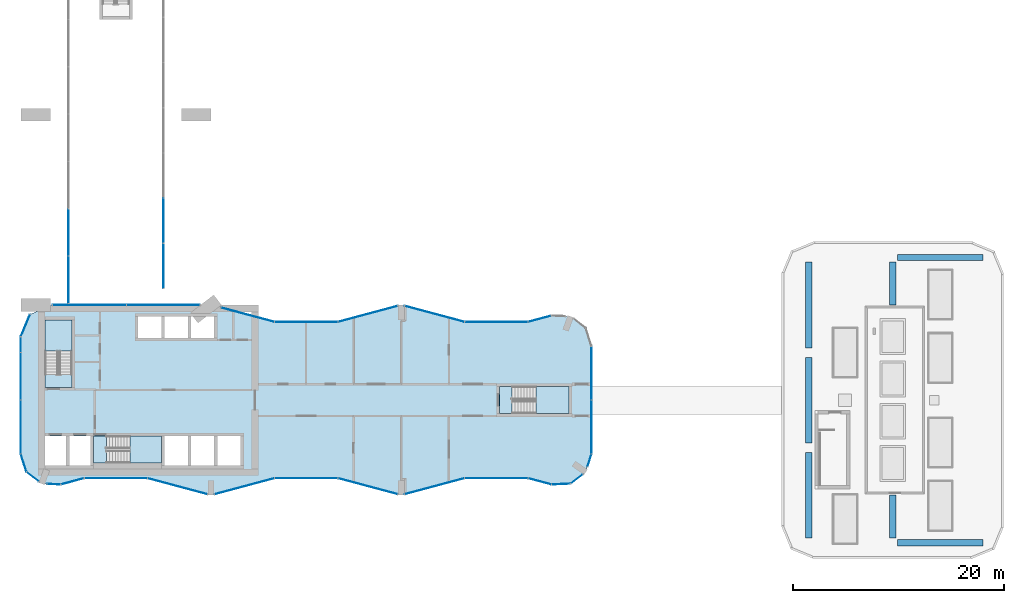
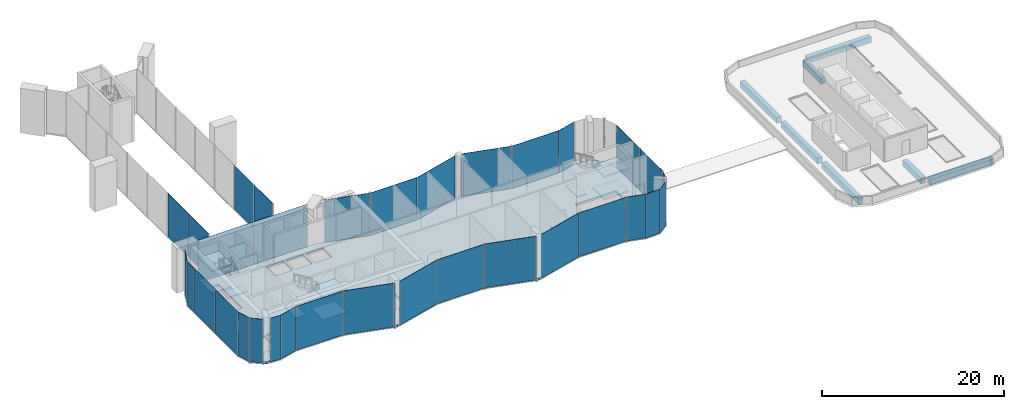
# One storey, part 8 of 19: 33 plates, 10 slabs, 7 beams, 30 elements without a shape of their own.
"""IFC4 building model written with IfcOpenShell, lengths in metres."""

from ifc_helpers import new_model, si_unit, direction, frame, origin, origin_2d, place, context, subcontext, project, spatial, polyline, rectangle, outline, extrude, material, layer, layer_set, material_profile, profile_set, type_object, element, aggregate, save


model = new_model("IFC4")

# Units and contexts
model_context = context("Model", 3, precision=1e-05, world=origin(), true_north=direction((0.0, 1.0)))
body_context = subcontext(model_context, "Body", "Model", "MODEL_VIEW")
ifc_project = project(units=[si_unit("LENGTHUNIT", "METRE"), si_unit("AREAUNIT", "SQUARE_METRE"), si_unit("VOLUMEUNIT", "CUBIC_METRE"), si_unit("PLANEANGLEUNIT", "RADIAN"), si_unit("MASSUNIT", "GRAM", prefix="KILO")], contexts=[model_context])

# Site, building, storey
site_placement = place(None, origin())
site = spatial("IfcSite", under=ifc_project, at=site_placement, CompositionType="ELEMENT")
building_placement = place(site_placement, origin())
building = spatial("IfcBuilding", under=site, at=building_placement, Name="Plateau Cross Towers", CompositionType="ELEMENT")
storey_placement = place(building_placement, frame((0.0, 0.0, 128.60009765625)))
storey = spatial("IfcBuildingStorey", under=building, at=storey_placement, Name="L33", CompositionType="ELEMENT", Elevation=128.60009765625)

# Beams
ifc_material_1 = material(Name="Concrete C60/75", Category="concrete")
ifc_material_profile_1 = material_profile(ifc_material_1, rectangle(XDim=0.60009765625, YDim=0.800048828125, at=origin_2d()), Name="RC 600x800")
ifc_profile_set_1 = profile_set([ifc_material_profile_1], Name="Concrete C60/75")
beam_type_1 = type_object("IfcBeamType", Name="Core beam RC 600x800", PredefinedType="BEAM", material=ifc_profile_set_1)
for number, where, z_axis, x_axis, name in (
    (1, (82.5, 0.0, -0.7001953125), (0.0, -1.0, 0.0), (1.0, 0.0, 0.0), "B-CB01@L33"),
    (2, (82.5, 18.0, -0.7001953125), (0.0, 1.0, 0.0), (-1.0, 0.0, 0.0), "B-CB02@L33"),
):
    element("IfcBeam", number, at=place(storey_placement, frame(where, z_axis=z_axis, x_axis=x_axis)), inside=storey, type_object=beam_type_1, Name=name, PredefinedType="BEAM", context=body_context, shape_type="SweptSolid", body=[
        extrude(rectangle(XDim=0.60009765625, YDim=0.800048828125, at=origin_2d()), origin(), (0.0, 0.0, 1.0), 4.050048828125),
    ])
ifc_material_profile_2 = material_profile(ifc_material_1, rectangle(XDim=0.60009765625, YDim=0.800048828125, at=origin_2d()), Name="RC 600x800")
ifc_profile_set_2 = profile_set([ifc_material_profile_2], Name="Concrete C60/75")
beam_type_2 = type_object("IfcBeamType", Name="Ring beam RC 600x800", PredefinedType="BEAM", material=ifc_profile_set_2)
for number, where, z_axis, x_axis, name in (
    (3, (82.949951171875, -4.5, -0.7001953125), (1.0, 0.0, 0.0), (0.0, 1.0, 0.0), "B-RB01@L33"),
    (4, (91.050048828125, 22.5, -0.7001953125), (-1.0, 0.0, 0.0), (0.0, -1.0, 0.0), "B-RB02@L33"),
    (5, (74.550048828125, 22.050048828125, -0.7001953125), (0.0, -1.0, 0.0), (1.0, 0.0, 0.0), "B-RB03@L33"),
    (6, (74.550048828125, 13.050048828125, -0.7001953125), (0.0, -1.0, 0.0), (1.0, 0.0, 0.0), "B-RB04@L33"),
    (7, (74.550048828125, 4.050048828125, -0.7001953125), (0.0, -1.0, 0.0), (1.0, 0.0, 0.0), "B-RB05@L33"),
):
    element("IfcBeam", number, at=place(storey_placement, frame(where, z_axis=z_axis, x_axis=x_axis)), inside=storey, type_object=beam_type_2, Name=name, PredefinedType="BEAM", context=body_context, shape_type="SweptSolid", body=[
        extrude(rectangle(XDim=0.60009765625, YDim=0.800048828125, at=origin_2d()), origin(), (0.0, 0.0, 1.0), 8.10009765625),
    ])

# Curtain wall, plate
ifc_material_2 = material(Name="Dark low-iron glass", Category="glass")
ifc_layer_1 = layer(ifc_material_2, 0.239990234375)
ifc_layer_set_1 = layer_set([ifc_layer_1], Name="Dark low-iron glass")
curtain_wall_type_1 = type_object("IfcCurtainWallType", Name="Curtain wall flush unitised CW-B", PredefinedType="NOTDEFINED", material=ifc_layer_set_1)
curtain_wall_1_placement = place(storey_placement, origin())
curtain_wall_1 = element("IfcCurtainWall", 8, at=curtain_wall_1_placement, inside=storey, type_object=curtain_wall_type_1, Name="ENV/A/L33/A502_10", PredefinedType="NOTDEFINED")
ifc_layer_2 = layer(ifc_material_2, 0.031982421875)
ifc_layer_set_2 = layer_set([ifc_layer_2], Name="Dark low-iron glass")
plate_type_1 = type_object("IfcPlateType", Name="Glass panel 32 flush unitised", PredefinedType="CURTAIN_PANEL", material=ifc_layer_set_2)
plate_1_placement = place(storey_placement, frame((51.125, 1.05078125, -0.179931640625), z_axis=(0.0, 0.0, 1.0), x_axis=(0.999043701491, 0.043722791671, 0.0)))
plate_1 = element("IfcPlate", 9, at=plate_1_placement, type_object=plate_type_1, Name="CW-B panel 1", PredefinedType="CURTAIN_PANEL", context=body_context, shape_type="SweptSolid", body=[
    extrude(rectangle(XDim=1.744140625, YDim=0.031982421875, at=origin_2d()), origin(), (0.0, 0.0, 1.0), 5.8798828125),
])
aggregate(curtain_wall_1, [plate_1])

curtain_wall_2_placement = place(storey_placement, origin())
curtain_wall_2 = element("IfcCurtainWall", 10, at=curtain_wall_2_placement, inside=storey, type_object=curtain_wall_type_1, Name="ENV/A/L33/A520_11", PredefinedType="NOTDEFINED")
plate_2_placement = place(storey_placement, frame((52.60986328125, 1.5380859375, -0.179931640625), z_axis=(0.0, 0.0, 1.0), x_axis=(0.793315514529, 0.608810721331, 0.0)))
plate_2 = element("IfcPlate", 11, at=plate_2_placement, type_object=plate_type_1, Name="CW-B panel 1", PredefinedType="CURTAIN_PANEL", context=body_context, shape_type="SweptSolid", body=[
    extrude(rectangle(XDim=1.41162109375, YDim=0.031982421875, at=origin_2d()), origin(), (0.0, 0.0, 1.0), 5.8798828125),
])
aggregate(curtain_wall_2, [plate_2])

curtain_wall_3_placement = place(storey_placement, origin())
curtain_wall_3 = element("IfcCurtainWall", 12, at=curtain_wall_3_placement, inside=storey, type_object=curtain_wall_type_1, Name="ENV/A/L33/A536_27", PredefinedType="NOTDEFINED")
plate_3_placement = place(storey_placement, frame((53.805419921875, 3.292236328125, -0.179931640625), z_axis=(0.0, 0.0, 1.0), x_axis=(0.300686174994, 0.95372313811, 0.0)))
plate_3 = element("IfcPlate", 13, at=plate_3_placement, type_object=plate_type_1, Name="CW-B panel 1", PredefinedType="CURTAIN_PANEL", context=body_context, shape_type="SweptSolid", body=[
    extrude(rectangle(XDim=1.233642578125, YDim=0.031982421875, at=origin_2d()), origin(), (0.0, 0.0, 1.0), 5.8798828125),
])
aggregate(curtain_wall_3, [plate_3])

# Curtain wall, plates
curtain_wall_4_placement = place(storey_placement, origin())
curtain_wall_4 = element("IfcCurtainWall", 14, at=curtain_wall_4_placement, inside=storey, type_object=curtain_wall_type_1, Name="ENV/A/L33/A540_39", PredefinedType="NOTDEFINED")
plate_4_placement = place(storey_placement, frame((54.0, 6.45458984375, -0.179931640625), z_axis=(0.0, 0.0, 1.0), x_axis=(0.0, 1.0, 0.0)))
plate_4 = element("IfcPlate", 15, at=plate_4_placement, type_object=plate_type_1, Name="CW-B panel 1", PredefinedType="CURTAIN_PANEL", context=body_context, shape_type="SweptSolid", body=[
    extrude(rectangle(XDim=5.03076171875, YDim=0.031982421875, at=origin_2d()), origin(), (0.0, 0.0, 1.0), 5.8798828125),
])
plate_5_placement = place(storey_placement, frame((54.0, 11.54541015625, -0.179931640625), z_axis=(0.0, 0.0, 1.0), x_axis=(0.0, 1.0, 0.0)))
plate_5 = element("IfcPlate", 16, at=plate_5_placement, type_object=plate_type_1, Name="CW-B panel 2", PredefinedType="CURTAIN_PANEL", context=body_context, shape_type="SweptSolid", body=[
    extrude(rectangle(XDim=5.03076171875, YDim=0.031982421875, at=origin_2d()), origin(), (0.0, 0.0, 1.0), 5.8798828125),
])
aggregate(curtain_wall_4, [plate_4, plate_5])

curtain_wall_5_placement = place(storey_placement, origin())
curtain_wall_5 = element("IfcCurtainWall", 17, at=curtain_wall_5_placement, inside=storey, type_object=curtain_wall_type_1, Name="ENV/A/L33/A170_180", PredefinedType="NOTDEFINED")
plate_6_placement = place(storey_placement, frame((13.486328125, 18.0, -0.179931640625), z_axis=(0.0, 0.0, 1.0), x_axis=(-1.0, 0.0, 0.0)))
plate_6 = element("IfcPlate", 18, at=plate_6_placement, type_object=plate_type_1, Name="CW-B panel 1", PredefinedType="CURTAIN_PANEL", context=body_context, shape_type="SweptSolid", body=[
    extrude(rectangle(XDim=6.930908203125, YDim=0.031982421875, at=origin_2d()), origin(), (0.0, 0.0, 1.0), 5.8798828125),
])
plate_7_placement = place(storey_placement, frame((6.495361328125, 18.0, -0.179931640625), z_axis=(0.0, 0.0, 1.0), x_axis=(-1.0, 0.0, 0.0)))
plate_7 = element("IfcPlate", 19, at=plate_7_placement, type_object=plate_type_1, Name="CW-B panel 2", PredefinedType="CURTAIN_PANEL", context=body_context, shape_type="SweptSolid", body=[
    extrude(rectangle(XDim=6.930908203125, YDim=0.031982421875, at=origin_2d()), origin(), (0.0, 0.0, 1.0), 5.8798828125),
])
aggregate(curtain_wall_5, [plate_6, plate_7])

# Curtain wall, plate
curtain_wall_6_placement = place(storey_placement, origin())
curtain_wall_6 = element("IfcCurtainWall", 20, at=curtain_wall_6_placement, inside=storey, type_object=curtain_wall_type_1, Name="ENV/A/L33/A9_171", PredefinedType="NOTDEFINED")
plate_8_placement = place(storey_placement, frame((0.439453125, 16.060546875, -0.179931640625), z_axis=(0.0, 0.0, 1.0), x_axis=(-0.382683612978, -0.923879457699, 0.0)))
plate_8 = element("IfcPlate", 21, at=plate_8_placement, type_object=plate_type_1, Name="CW-B panel 1", PredefinedType="CURTAIN_PANEL", context=body_context, shape_type="SweptSolid", body=[
    extrude(rectangle(XDim=2.236083984375, YDim=0.031982421875, at=origin_2d()), origin(), (0.0, 0.0, 1.0), 5.8798828125),
])
aggregate(curtain_wall_6, [plate_8])

# Curtain wall, plates
curtain_wall_7_placement = place(storey_placement, origin())
curtain_wall_7 = element("IfcCurtainWall", 22, at=curtain_wall_7_placement, inside=storey, type_object=curtain_wall_type_1, Name="ENV/A/L33/A0_150", PredefinedType="NOTDEFINED")
plate_9_placement = place(storey_placement, frame((0.0, 14.25, -0.179931640625), z_axis=(0.0, 0.0, 1.0), x_axis=(0.0, -1.0, 0.0)))
plate_9 = element("IfcPlate", 23, at=plate_9_placement, type_object=plate_type_1, Name="CW-B panel 1", PredefinedType="CURTAIN_PANEL", context=body_context, shape_type="SweptSolid", body=[
    extrude(rectangle(XDim=1.43994140625, YDim=0.031982421875, at=origin_2d()), origin(), (0.0, 0.0, 1.0), 5.8798828125),
])
plate_10_placement = place(storey_placement, frame((0.0, 11.25, -0.179931640625), z_axis=(0.0, 0.0, 1.0), x_axis=(0.0, -1.0, 0.0)))
plate_10 = element("IfcPlate", 24, at=plate_10_placement, type_object=plate_type_1, Name="CW-B panel 2", PredefinedType="CURTAIN_PANEL", context=body_context, shape_type="SweptSolid", body=[
    extrude(rectangle(XDim=4.43994140625, YDim=0.031982421875, at=origin_2d()), origin(), (0.0, 0.0, 1.0), 5.8798828125),
])
plate_11_placement = place(storey_placement, frame((0.0, 6.45458984375, -0.179931640625), z_axis=(0.0, 0.0, 1.0), x_axis=(0.0, -1.0, 0.0)))
plate_11 = element("IfcPlate", 25, at=plate_11_placement, type_object=plate_type_1, Name="CW-B panel 3", PredefinedType="CURTAIN_PANEL", context=body_context, shape_type="SweptSolid", body=[
    extrude(rectangle(XDim=5.03076171875, YDim=0.031982421875, at=origin_2d()), origin(), (0.0, 0.0, 1.0), 5.8798828125),
])
aggregate(curtain_wall_7, [plate_9, plate_10, plate_11])

# Curtain wall, plate
curtain_wall_8_placement = place(storey_placement, origin())
curtain_wall_8 = element("IfcCurtainWall", 26, at=curtain_wall_8_placement, inside=storey, type_object=curtain_wall_type_1, Name="ENV/A/L33/A0_39", PredefinedType="NOTDEFINED")
plate_12_placement = place(storey_placement, frame((0.271240234375, 3.048828125, -0.179931640625), z_axis=(0.0, 0.0, 1.0), x_axis=(0.300686174994, -0.95372313811, 0.0)))
plate_12 = element("IfcPlate", 27, at=plate_12_placement, type_object=plate_type_1, Name="CW-B panel 1", PredefinedType="CURTAIN_PANEL", context=body_context, shape_type="SweptSolid", body=[
    extrude(rectangle(XDim=1.744140625, YDim=0.031982421875, at=origin_2d()), origin(), (0.0, 0.0, 1.0), 5.8798828125),
])
aggregate(curtain_wall_8, [plate_12])

curtain_wall_9_placement = place(storey_placement, origin())
curtain_wall_9 = element("IfcCurtainWall", 28, at=curtain_wall_9_placement, inside=storey, type_object=curtain_wall_type_1, Name="ENV/A/L33/A5_22", PredefinedType="NOTDEFINED")
plate_13_placement = place(storey_placement, frame((1.126220703125, 1.74072265625, -0.179931640625), z_axis=(0.0, 0.0, 1.0), x_axis=(0.793315514529, -0.608810721331, 0.0)))
plate_13 = element("IfcPlate", 29, at=plate_13_placement, type_object=plate_type_1, Name="CW-B panel 1", PredefinedType="CURTAIN_PANEL", context=body_context, shape_type="SweptSolid", body=[
    extrude(rectangle(XDim=1.41162109375, YDim=0.031982421875, at=origin_2d()), origin(), (0.0, 0.0, 1.0), 5.8798828125),
])
aggregate(curtain_wall_9, [plate_13])

curtain_wall_10_placement = place(storey_placement, origin())
curtain_wall_10 = element("IfcCurtainWall", 30, at=curtain_wall_10_placement, inside=storey, type_object=curtain_wall_type_1, Name="ENV/A/L33/A25_11", PredefinedType="NOTDEFINED")
plate_14_placement = place(storey_placement, frame((3.1298828125, 1.03955078125, -0.179931640625), z_axis=(0.0, 0.0, 1.0), x_axis=(0.999043701491, -0.043722791671, 0.0)))
plate_14 = element("IfcPlate", 31, at=plate_14_placement, type_object=plate_type_1, Name="CW-B panel 1", PredefinedType="CURTAIN_PANEL", context=body_context, shape_type="SweptSolid", body=[
    extrude(rectangle(XDim=1.233642578125, YDim=0.031982421875, at=origin_2d()), origin(), (0.0, 0.0, 1.0), 5.8798828125),
])
aggregate(curtain_wall_10, [plate_14])

# Curtain wall, plates
curtain_wall_11_placement = place(storey_placement, origin())
curtain_wall_11 = element("IfcCurtainWall", 32, at=curtain_wall_11_placement, inside=storey, type_object=curtain_wall_type_1, Name="ENV/A/L33/sky135_495_135_196", PredefinedType="NOTDEFINED")
plate_15_placement = place(storey_placement, frame((13.5, 25.97509765625, 0.119873046875), z_axis=(0.0, 0.0, 1.0), x_axis=(0.0, -1.0, 0.0)))
plate_15 = element("IfcPlate", 33, at=plate_15_placement, type_object=plate_type_1, Name="CW-B panel 6", PredefinedType="CURTAIN_PANEL", context=body_context, shape_type="SweptSolid", body=[
    extrude(rectangle(XDim=4.21728515625, YDim=0.031982421875, at=origin_2d()), origin(), (0.0, 0.0, 1.0), 5.8798828125),
])
plate_16_placement = place(storey_placement, frame((13.5, 21.697998046875, 0.119873046875), z_axis=(0.0, 0.0, 1.0), x_axis=(0.0, -1.0, 0.0)))
plate_16 = element("IfcPlate", 34, at=plate_16_placement, type_object=plate_type_1, Name="CW-B panel 7", PredefinedType="CURTAIN_PANEL", context=body_context, shape_type="SweptSolid", body=[
    extrude(rectangle(XDim=4.21728515625, YDim=0.031982421875, at=origin_2d()), origin(), (0.0, 0.0, 1.0), 5.8798828125),
])
aggregate(curtain_wall_11, [plate_15, plate_16])

curtain_wall_12_placement = place(storey_placement, origin())
curtain_wall_12 = element("IfcCurtainWall", 35, at=curtain_wall_12_placement, inside=storey, type_object=curtain_wall_type_1, Name="ENV/A/L33/sky45_182_45_495", PredefinedType="NOTDEFINED")
plate_17_placement = place(storey_placement, frame((4.5, 20.389404296875, 0.119873046875), z_axis=(0.0, 0.0, 1.0), x_axis=(0.0, 1.0, 0.0)))
plate_17 = element("IfcPlate", 36, at=plate_17_placement, type_object=plate_type_1, Name="CW-B panel 1", PredefinedType="CURTAIN_PANEL", context=body_context, shape_type="SweptSolid", body=[
    extrude(rectangle(XDim=4.41845703125, YDim=0.031982421875, at=origin_2d()), origin(), (0.0, 0.0, 1.0), 5.8798828125),
])
plate_18_placement = place(storey_placement, frame((4.5, 24.867919921875, 0.119873046875), z_axis=(0.0, 0.0, 1.0), x_axis=(0.0, 1.0, 0.0)))
plate_18 = element("IfcPlate", 37, at=plate_18_placement, type_object=plate_type_1, Name="CW-B panel 2", PredefinedType="CURTAIN_PANEL", context=body_context, shape_type="SweptSolid", body=[
    extrude(rectangle(XDim=4.41845703125, YDim=0.031982421875, at=origin_2d()), origin(), (0.0, 0.0, 1.0), 5.8798828125),
])
aggregate(curtain_wall_12, [plate_17, plate_18])

# Curtain wall, plate
ifc_layer_3 = layer(ifc_material_2, 0.260009765625)
ifc_layer_set_3 = layer_set([ifc_layer_3], Name="Dark low-iron glass")
curtain_wall_type_2 = type_object("IfcCurtainWallType", Name="Curtain wall fluted unitised CW-A", PredefinedType="NOTDEFINED", material=ifc_layer_set_3)
curtain_wall_13_placement = place(storey_placement, origin())
curtain_wall_13 = element("IfcCurtainWall", 38, at=curtain_wall_13_placement, inside=storey, type_object=curtain_wall_type_2, Name="ENV/A/L33/A38_10", PredefinedType="NOTDEFINED")
ifc_layer_4 = layer(ifc_material_2, 0.035888671875)
ifc_layer_set_4 = layer_set([ifc_layer_4], Name="Dark low-iron glass")
plate_type_2 = type_object("IfcPlateType", Name="Glass panel 36 fluted unitised", PredefinedType="CURTAIN_PANEL", material=ifc_layer_set_4)
plate_19_placement = place(storey_placement, frame((4.887939453125, 1.30908203125, -0.179931640625), z_axis=(0.0, 0.0, 1.0), x_axis=(0.965957962328, 0.258699081978, 0.0)))
plate_19 = element("IfcPlate", 39, at=plate_19_placement, type_object=plate_type_2, Name="CW-A panel 1", PredefinedType="CURTAIN_PANEL", context=body_context, shape_type="SweptSolid", body=[
    extrude(rectangle(XDim=2.2421875, YDim=0.035888671875, at=origin_2d()), origin(), (0.0, 0.0, 1.0), 5.8798828125),
])
aggregate(curtain_wall_13, [plate_19])

curtain_wall_14_placement = place(storey_placement, origin())
curtain_wall_14 = element("IfcCurtainWall", 40, at=curtain_wall_14_placement, inside=storey, type_object=curtain_wall_type_2, Name="ENV/A/L33/A60_16", PredefinedType="NOTDEFINED")
plate_20_placement = place(storey_placement, frame((9.0, 1.60693359375, -0.179931640625), z_axis=(0.0, 0.0, 1.0), x_axis=(1.0, 0.0, 0.0)))
plate_20 = element("IfcPlate", 41, at=plate_20_placement, type_object=plate_type_2, Name="CW-A panel 1", PredefinedType="CURTAIN_PANEL", context=body_context, shape_type="SweptSolid", body=[
    extrude(rectangle(XDim=5.93994140625, YDim=0.035888671875, at=origin_2d()), origin(), (0.0, 0.0, 1.0), 5.8798828125),
])
aggregate(curtain_wall_14, [plate_20])

curtain_wall_15_placement = place(storey_placement, origin())
curtain_wall_15 = element("IfcCurtainWall", 42, at=curtain_wall_15_placement, inside=storey, type_object=curtain_wall_type_2, Name="ENV/A/L33/A120_16", PredefinedType="NOTDEFINED")
plate_21_placement = place(storey_placement, frame((14.841064453125, 0.845947265625, -0.179931640625), z_axis=(0.0, 0.0, 1.0), x_axis=(0.965957983404, -0.258699003279, 0.0)))
plate_21 = element("IfcPlate", 43, at=plate_21_placement, type_object=plate_type_2, Name="CW-A panel 1", PredefinedType="CURTAIN_PANEL", context=body_context, shape_type="SweptSolid", body=[
    extrude(rectangle(XDim=5.822265625, YDim=0.035888671875, at=origin_2d()), origin(), (0.0, 0.0, 1.0), 5.8798828125),
])
aggregate(curtain_wall_15, [plate_21])

curtain_wall_16_placement = place(storey_placement, origin())
curtain_wall_16 = element("IfcCurtainWall", 44, at=curtain_wall_16_placement, inside=storey, type_object=curtain_wall_type_2, Name="ENV/A/L33/A183_1", PredefinedType="NOTDEFINED")
plate_22_placement = place(storey_placement, frame((21.158935546875, 0.845947265625, -0.179931640625), z_axis=(0.0, 0.0, 1.0), x_axis=(0.965957983404, 0.258699003279, 0.0)))
plate_22 = element("IfcPlate", 45, at=plate_22_placement, type_object=plate_type_2, Name="CW-A panel 1", PredefinedType="CURTAIN_PANEL", context=body_context, shape_type="SweptSolid", body=[
    extrude(rectangle(XDim=5.822265625, YDim=0.035888671875, at=origin_2d()), origin(), (0.0, 0.0, 1.0), 5.8798828125),
])
aggregate(curtain_wall_16, [plate_22])

curtain_wall_17_placement = place(storey_placement, origin())
curtain_wall_17 = element("IfcCurtainWall", 46, at=curtain_wall_17_placement, inside=storey, type_object=curtain_wall_type_2, Name="ENV/A/L33/A240_16", PredefinedType="NOTDEFINED")
plate_23_placement = place(storey_placement, frame((27.0, 1.60693359375, -0.179931640625), z_axis=(0.0, 0.0, 1.0), x_axis=(1.0, 0.0, 0.0)))
plate_23 = element("IfcPlate", 47, at=plate_23_placement, type_object=plate_type_2, Name="CW-A panel 1", PredefinedType="CURTAIN_PANEL", context=body_context, shape_type="SweptSolid", body=[
    extrude(rectangle(XDim=5.93994140625, YDim=0.035888671875, at=origin_2d()), origin(), (0.0, 0.0, 1.0), 5.8798828125),
])
aggregate(curtain_wall_17, [plate_23])

curtain_wall_18_placement = place(storey_placement, origin())
curtain_wall_18 = element("IfcCurtainWall", 48, at=curtain_wall_18_placement, inside=storey, type_object=curtain_wall_type_2, Name="ENV/A/L33/A300_16", PredefinedType="NOTDEFINED")
plate_24_placement = place(storey_placement, frame((32.841064453125, 0.845947265625, -0.179931640625), z_axis=(0.0, 0.0, 1.0), x_axis=(0.965957983404, -0.258699003279, 0.0)))
plate_24 = element("IfcPlate", 49, at=plate_24_placement, type_object=plate_type_2, Name="CW-A panel 1", PredefinedType="CURTAIN_PANEL", context=body_context, shape_type="SweptSolid", body=[
    extrude(rectangle(XDim=5.822265625, YDim=0.035888671875, at=origin_2d()), origin(), (0.0, 0.0, 1.0), 5.8798828125),
])
aggregate(curtain_wall_18, [plate_24])

curtain_wall_19_placement = place(storey_placement, origin())
curtain_wall_19 = element("IfcCurtainWall", 50, at=curtain_wall_19_placement, inside=storey, type_object=curtain_wall_type_2, Name="ENV/A/L33/A363_1", PredefinedType="NOTDEFINED")
plate_25_placement = place(storey_placement, frame((39.158935546875, 0.845947265625, -0.179931640625), z_axis=(0.0, 0.0, 1.0), x_axis=(0.965957983404, 0.258699003279, 0.0)))
plate_25 = element("IfcPlate", 51, at=plate_25_placement, type_object=plate_type_2, Name="CW-A panel 1", PredefinedType="CURTAIN_PANEL", context=body_context, shape_type="SweptSolid", body=[
    extrude(rectangle(XDim=5.822265625, YDim=0.035888671875, at=origin_2d()), origin(), (0.0, 0.0, 1.0), 5.8798828125),
])
aggregate(curtain_wall_19, [plate_25])

curtain_wall_20_placement = place(storey_placement, origin())
curtain_wall_20 = element("IfcCurtainWall", 52, at=curtain_wall_20_placement, inside=storey, type_object=curtain_wall_type_2, Name="ENV/A/L33/A420_16", PredefinedType="NOTDEFINED")
plate_26_placement = place(storey_placement, frame((45.0, 1.60693359375, -0.179931640625), z_axis=(0.0, 0.0, 1.0), x_axis=(1.0, 0.0, 0.0)))
plate_26 = element("IfcPlate", 53, at=plate_26_placement, type_object=plate_type_2, Name="CW-A panel 1", PredefinedType="CURTAIN_PANEL", context=body_context, shape_type="SweptSolid", body=[
    extrude(rectangle(XDim=5.93994140625, YDim=0.035888671875, at=origin_2d()), origin(), (0.0, 0.0, 1.0), 5.8798828125),
])
aggregate(curtain_wall_20, [plate_26])

curtain_wall_21_placement = place(storey_placement, origin())
curtain_wall_21 = element("IfcCurtainWall", 54, at=curtain_wall_21_placement, inside=storey, type_object=curtain_wall_type_2, Name="ENV/A/L33/A480_16", PredefinedType="NOTDEFINED")
plate_27_placement = place(storey_placement, frame((49.112060546875, 1.30908203125, -0.179931640625), z_axis=(0.0, 0.0, 1.0), x_axis=(0.965957962328, -0.258699081978, 0.0)))
plate_27 = element("IfcPlate", 55, at=plate_27_placement, type_object=plate_type_2, Name="CW-A panel 1", PredefinedType="CURTAIN_PANEL", context=body_context, shape_type="SweptSolid", body=[
    extrude(rectangle(XDim=2.2421875, YDim=0.035888671875, at=origin_2d()), origin(), (0.0, 0.0, 1.0), 5.8798828125),
])
aggregate(curtain_wall_21, [plate_27])

curtain_wall_22_placement = place(storey_placement, origin())
curtain_wall_22 = element("IfcCurtainWall", 56, at=curtain_wall_22_placement, inside=storey, type_object=curtain_wall_type_2, Name="ENV/A/L33/A502_170", PredefinedType="NOTDEFINED")
plate_28_placement = place(storey_placement, frame((49.112060546875, 16.69091796875, -0.179931640625), z_axis=(0.0, 0.0, 1.0), x_axis=(-0.965957962328, -0.258699081978, 0.0)))
plate_28 = element("IfcPlate", 57, at=plate_28_placement, type_object=plate_type_2, Name="CW-A panel 1", PredefinedType="CURTAIN_PANEL", context=body_context, shape_type="SweptSolid", body=[
    extrude(rectangle(XDim=2.2421875, YDim=0.035888671875, at=origin_2d()), origin(), (0.0, 0.0, 1.0), 5.8798828125),
])
aggregate(curtain_wall_22, [plate_28])

curtain_wall_23_placement = place(storey_placement, origin())
curtain_wall_23 = element("IfcCurtainWall", 58, at=curtain_wall_23_placement, inside=storey, type_object=curtain_wall_type_2, Name="ENV/A/L33/A480_164", PredefinedType="NOTDEFINED")
plate_29_placement = place(storey_placement, frame((45.0, 16.39306640625, -0.179931640625), z_axis=(0.0, 0.0, 1.0), x_axis=(-1.0, 0.0, 0.0)))
plate_29 = element("IfcPlate", 59, at=plate_29_placement, type_object=plate_type_2, Name="CW-A panel 1", PredefinedType="CURTAIN_PANEL", context=body_context, shape_type="SweptSolid", body=[
    extrude(rectangle(XDim=5.93994140625, YDim=0.035888671875, at=origin_2d()), origin(), (0.0, 0.0, 1.0), 5.8798828125),
])
aggregate(curtain_wall_23, [plate_29])

curtain_wall_24_placement = place(storey_placement, origin())
curtain_wall_24 = element("IfcCurtainWall", 60, at=curtain_wall_24_placement, inside=storey, type_object=curtain_wall_type_2, Name="ENV/A/L33/A420_164", PredefinedType="NOTDEFINED")
plate_30_placement = place(storey_placement, frame((39.158935546875, 17.154052734375, -0.179931640625), z_axis=(0.0, 0.0, 1.0), x_axis=(-0.965957983404, 0.258699003279, 0.0)))
plate_30 = element("IfcPlate", 61, at=plate_30_placement, type_object=plate_type_2, Name="CW-A panel 1", PredefinedType="CURTAIN_PANEL", context=body_context, shape_type="SweptSolid", body=[
    extrude(rectangle(XDim=5.822265625, YDim=0.035888671875, at=origin_2d()), origin(), (0.0, 0.0, 1.0), 5.8798828125),
])
aggregate(curtain_wall_24, [plate_30])

curtain_wall_25_placement = place(storey_placement, origin())
curtain_wall_25 = element("IfcCurtainWall", 62, at=curtain_wall_25_placement, inside=storey, type_object=curtain_wall_type_2, Name="ENV/A/L33/A357_179", PredefinedType="NOTDEFINED")
plate_31_placement = place(storey_placement, frame((32.841064453125, 17.154052734375, -0.179931640625), z_axis=(0.0, 0.0, 1.0), x_axis=(-0.965957983404, -0.258699003279, 0.0)))
plate_31 = element("IfcPlate", 63, at=plate_31_placement, type_object=plate_type_2, Name="CW-A panel 1", PredefinedType="CURTAIN_PANEL", context=body_context, shape_type="SweptSolid", body=[
    extrude(rectangle(XDim=5.822265625, YDim=0.035888671875, at=origin_2d()), origin(), (0.0, 0.0, 1.0), 5.8798828125),
])
aggregate(curtain_wall_25, [plate_31])

curtain_wall_26_placement = place(storey_placement, origin())
curtain_wall_26 = element("IfcCurtainWall", 64, at=curtain_wall_26_placement, inside=storey, type_object=curtain_wall_type_2, Name="ENV/A/L33/A300_164", PredefinedType="NOTDEFINED")
plate_32_placement = place(storey_placement, frame((27.0, 16.39306640625, -0.179931640625), z_axis=(0.0, 0.0, 1.0), x_axis=(-1.0, 0.0, 0.0)))
plate_32 = element("IfcPlate", 65, at=plate_32_placement, type_object=plate_type_2, Name="CW-A panel 1", PredefinedType="CURTAIN_PANEL", context=body_context, shape_type="SweptSolid", body=[
    extrude(rectangle(XDim=5.93994140625, YDim=0.035888671875, at=origin_2d()), origin(), (0.0, 0.0, 1.0), 5.8798828125),
])
aggregate(curtain_wall_26, [plate_32])

curtain_wall_27_placement = place(storey_placement, origin())
curtain_wall_27 = element("IfcCurtainWall", 66, at=curtain_wall_27_placement, inside=storey, type_object=curtain_wall_type_2, Name="ENV/A/L33/A240_164", PredefinedType="NOTDEFINED")
plate_33_placement = place(storey_placement, frame((21.461669921875, 17.072998046875, -0.179931640625), z_axis=(0.0, 0.0, 1.0), x_axis=(-0.965957983404, 0.258699003279, 0.0)))
plate_33 = element("IfcPlate", 67, at=plate_33_placement, type_object=plate_type_2, Name="CW-A panel 1", PredefinedType="CURTAIN_PANEL", context=body_context, shape_type="SweptSolid", body=[
    extrude(rectangle(XDim=5.19580078125, YDim=0.035888671875, at=origin_2d()), origin(), (0.0, 0.0, 1.0), 5.8798828125),
])
aggregate(curtain_wall_27, [plate_33])

# Slab
ifc_material_3 = material(Name="Concrete C40/50", Category="concrete")
ifc_layer_5 = layer(ifc_material_3, 0.300048828125)
ifc_layer_set_5 = layer_set([ifc_layer_5], Name="Concrete C40/50")
slab_type_1 = type_object("IfcSlabType", Name="Post-tensioned flat plate slab 300", PredefinedType="FLOOR", material=ifc_layer_set_5)
slab_1_placement = place(storey_placement, frame((0.0, 0.0, -0.300048828125)))
element("IfcSlab", 68, at=slab_1_placement, inside=storey, type_object=slab_type_1, Name="SL-A-L33", PredefinedType="FLOOR", context=body_context, shape_type="SweptSolid", body=[
    extrude(outline(polyline([(1.9736328125, 1.090087890625), (0.54248046875, 2.1884765625), (0.0, 3.9091796875), (0.0, 15.0), (0.878662109375, 17.121337890625), (3.0, 18.0), (18.0, 18.0), (24.0, 16.39306640625), (30.0, 16.39306640625), (36.0, 18.0), (42.0, 16.39306640625), (48.0, 16.39306640625), (50.223876953125, 16.98876953125), (52.0263671875, 16.909912109375), (53.45751953125, 15.8115234375), (54.0, 14.0908203125), (54.0, 3.9091796875), (53.45751953125, 2.1884765625), (52.0263671875, 1.090087890625), (50.223876953125, 1.01123046875), (48.0, 1.60693359375), (42.0, 1.60693359375), (36.0, 0.0), (30.0, 1.60693359375), (24.0, 1.60693359375), (18.0, 0.0), (12.0, 1.60693359375), (6.0, 1.60693359375), (3.776123046875, 1.01123046875), (1.9736328125, 1.090087890625)]), holes=[polyline([(4.300048828125, 5.60009765625), (2.300048828125, 5.60009765625), (2.300048828125, 2.800048828125), (4.300048828125, 2.800048828125), (4.300048828125, 5.60009765625)]), polyline([(6.60009765625, 2.800048828125), (6.60009765625, 5.60009765625), (4.60009765625, 5.60009765625), (4.60009765625, 2.800048828125), (6.60009765625, 2.800048828125)]), polyline([(13.300048828125, 3.050048828125), (13.300048828125, 5.60009765625), (8.10009765625, 5.60009765625), (8.10009765625, 3.050048828125), (13.300048828125, 3.050048828125)]), polyline([(2.300048828125, 16.60009765625), (2.300048828125, 11.39990234375), (4.85009765625, 11.39990234375), (4.85009765625, 16.60009765625), (2.300048828125, 16.60009765625)]), polyline([(13.300048828125, 14.89990234375), (13.300048828125, 16.89990234375), (11.10009765625, 16.89990234375), (11.10009765625, 14.89990234375), (13.300048828125, 14.89990234375)]), polyline([(15.800048828125, 5.60009765625), (13.60009765625, 5.60009765625), (13.60009765625, 2.800048828125), (15.800048828125, 2.800048828125), (15.800048828125, 5.60009765625)]), polyline([(18.300048828125, 2.800048828125), (18.300048828125, 5.60009765625), (16.10009765625, 5.60009765625), (16.10009765625, 2.800048828125), (18.300048828125, 2.800048828125)]), polyline([(20.800048828125, 2.800048828125), (20.800048828125, 5.60009765625), (18.60009765625, 5.60009765625), (18.60009765625, 2.800048828125), (20.800048828125, 2.800048828125)]), polyline([(51.699951171875, 10.27490234375), (46.5, 10.27490234375), (46.5, 7.72509765625), (51.699951171875, 7.72509765625), (51.699951171875, 10.27490234375)]), polyline([(15.800048828125, 14.89990234375), (15.800048828125, 16.89990234375), (13.60009765625, 16.89990234375), (13.60009765625, 14.89990234375), (15.800048828125, 14.89990234375)]), polyline([(18.300048828125, 14.89990234375), (18.300048828125, 16.89990234375), (16.10009765625, 16.89990234375), (16.10009765625, 14.89990234375), (18.300048828125, 14.89990234375)])]), origin(), (0.0, 0.0, 1.0), 0.300048828125),
])

# Stair, slabs
stair_type = type_object("IfcStairType", Name="ST-TWR", PredefinedType="HALF_TURN_STAIR", material=ifc_material_3)
stair_1_placement = place(storey_placement, origin())
stair_1 = element("IfcStair", 69, at=stair_1_placement, inside=storey, type_object=stair_type, Name="L33 Protected Exit Stair ST-1", PredefinedType="HALF_TURN_STAIR")
ifc_layer_6 = layer(ifc_material_3, 0.199951171875)
ifc_layer_set_6 = layer_set([ifc_layer_6], Name="Concrete C40/50")
slab_type_2 = type_object("IfcSlabType", Name="SL-LANDING", PredefinedType="LANDING", material=ifc_layer_set_6)
slab_2_placement = place(storey_placement, frame((0.0, 0.0, 1.2998046875)))
slab_2 = element("IfcSlab", 70, at=slab_2_placement, type_object=slab_type_2, Name="ST-1 landing 1", PredefinedType="LANDING", context=body_context, shape_type="SweptSolid", body=[
    extrude(outline(polyline([(4.85009765625, 13.639892578125), (4.85009765625, 16.60009765625), (2.300048828125, 16.60009765625), (2.300048828125, 13.639892578125), (4.85009765625, 13.639892578125)])), origin(), (0.0, 0.0, 1.0), 0.2001953125),
])
slab_3_placement = place(storey_placement, frame((0.0, 0.0, 2.7998046875)))
slab_3 = element("IfcSlab", 71, at=slab_3_placement, type_object=slab_type_2, Name="ST-1 landing 2", PredefinedType="LANDING", context=body_context, shape_type="SweptSolid", body=[
    extrude(outline(polyline([(4.85009765625, 10.199951171875), (4.85009765625, 11.39990234375), (2.300048828125, 11.39990234375), (2.300048828125, 10.199951171875), (4.85009765625, 10.199951171875)])), origin(), (0.0, 0.0, 1.0), 0.2001953125),
])
slab_4_placement = place(storey_placement, frame((0.0, 0.0, 4.2998046875)))
slab_4 = element("IfcSlab", 72, at=slab_4_placement, type_object=slab_type_2, Name="ST-1 landing 3", PredefinedType="LANDING", context=body_context, shape_type="SweptSolid", body=[
    extrude(outline(polyline([(4.85009765625, 13.639892578125), (4.85009765625, 16.60009765625), (2.300048828125, 16.60009765625), (2.300048828125, 13.639892578125), (4.85009765625, 13.639892578125)])), origin(), (0.0, 0.0, 1.0), 0.2001953125),
])
aggregate(stair_1, [slab_2, slab_3, slab_4])

stair_2_placement = place(storey_placement, origin())
stair_2 = element("IfcStair", 73, at=stair_2_placement, inside=storey, type_object=stair_type, Name="L33 Protected Exit Stair ST-2", PredefinedType="HALF_TURN_STAIR")
slab_5_placement = place(storey_placement, frame((0.0, 0.0, 1.2998046875)))
slab_5 = element("IfcSlab", 74, at=slab_5_placement, type_object=slab_type_2, Name="ST-2 landing 1", PredefinedType="LANDING", context=body_context, shape_type="SweptSolid", body=[
    extrude(outline(polyline([(10.340087890625, 3.050048828125), (13.300048828125, 3.050048828125), (13.300048828125, 5.60009765625), (10.340087890625, 5.60009765625), (10.340087890625, 3.050048828125)])), origin(), (0.0, 0.0, 1.0), 0.2001953125),
])
slab_6_placement = place(storey_placement, frame((0.0, 0.0, 2.7998046875)))
slab_6 = element("IfcSlab", 75, at=slab_6_placement, type_object=slab_type_2, Name="ST-2 landing 2", PredefinedType="LANDING", context=body_context, shape_type="SweptSolid", body=[
    extrude(outline(polyline([(6.89990234375, 3.050048828125), (8.10009765625, 3.050048828125), (8.10009765625, 5.60009765625), (6.89990234375, 5.60009765625), (6.89990234375, 3.050048828125)])), origin(), (0.0, 0.0, 1.0), 0.2001953125),
])
slab_7_placement = place(storey_placement, frame((0.0, 0.0, 4.2998046875)))
slab_7 = element("IfcSlab", 76, at=slab_7_placement, type_object=slab_type_2, Name="ST-2 landing 3", PredefinedType="LANDING", context=body_context, shape_type="SweptSolid", body=[
    extrude(outline(polyline([(10.340087890625, 3.050048828125), (13.300048828125, 3.050048828125), (13.300048828125, 5.60009765625), (10.340087890625, 5.60009765625), (10.340087890625, 3.050048828125)])), origin(), (0.0, 0.0, 1.0), 0.2001953125),
])
aggregate(stair_2, [slab_5, slab_6, slab_7])

stair_3_placement = place(storey_placement, origin())
stair_3 = element("IfcStair", 77, at=stair_3_placement, inside=storey, type_object=stair_type, Name="L33 Protected Exit Stair E", PredefinedType="HALF_TURN_STAIR")
slab_8_placement = place(storey_placement, frame((0.0, 0.0, 1.2998046875)))
slab_8 = element("IfcSlab", 78, at=slab_8_placement, type_object=slab_type_2, Name="ES-E landing 1", PredefinedType="LANDING", context=body_context, shape_type="SweptSolid", body=[
    extrude(outline(polyline([(48.739990234375, 7.72509765625), (51.85009765625, 7.72509765625), (51.85009765625, 10.27490234375), (48.739990234375, 10.27490234375), (48.739990234375, 7.72509765625)])), origin(), (0.0, 0.0, 1.0), 0.2001953125),
])
slab_9_placement = place(storey_placement, frame((0.0, 0.0, 2.7998046875)))
slab_9 = element("IfcSlab", 79, at=slab_9_placement, type_object=slab_type_2, Name="ES-E landing 2", PredefinedType="LANDING", context=body_context, shape_type="SweptSolid", body=[
    extrude(outline(polyline([(45.300048828125, 7.72509765625), (46.5, 7.72509765625), (46.5, 10.27490234375), (45.300048828125, 10.27490234375), (45.300048828125, 7.72509765625)])), origin(), (0.0, 0.0, 1.0), 0.2001953125),
])
slab_10_placement = place(storey_placement, frame((0.0, 0.0, 4.2998046875)))
slab_10 = element("IfcSlab", 80, at=slab_10_placement, type_object=slab_type_2, Name="ES-E landing 3", PredefinedType="LANDING", context=body_context, shape_type="SweptSolid", body=[
    extrude(outline(polyline([(48.739990234375, 7.72509765625), (51.85009765625, 7.72509765625), (51.85009765625, 10.27490234375), (48.739990234375, 10.27490234375), (48.739990234375, 7.72509765625)])), origin(), (0.0, 0.0, 1.0), 0.2001953125),
])
aggregate(stair_3, [slab_8, slab_9, slab_10])

save(model, "model.ifc")
